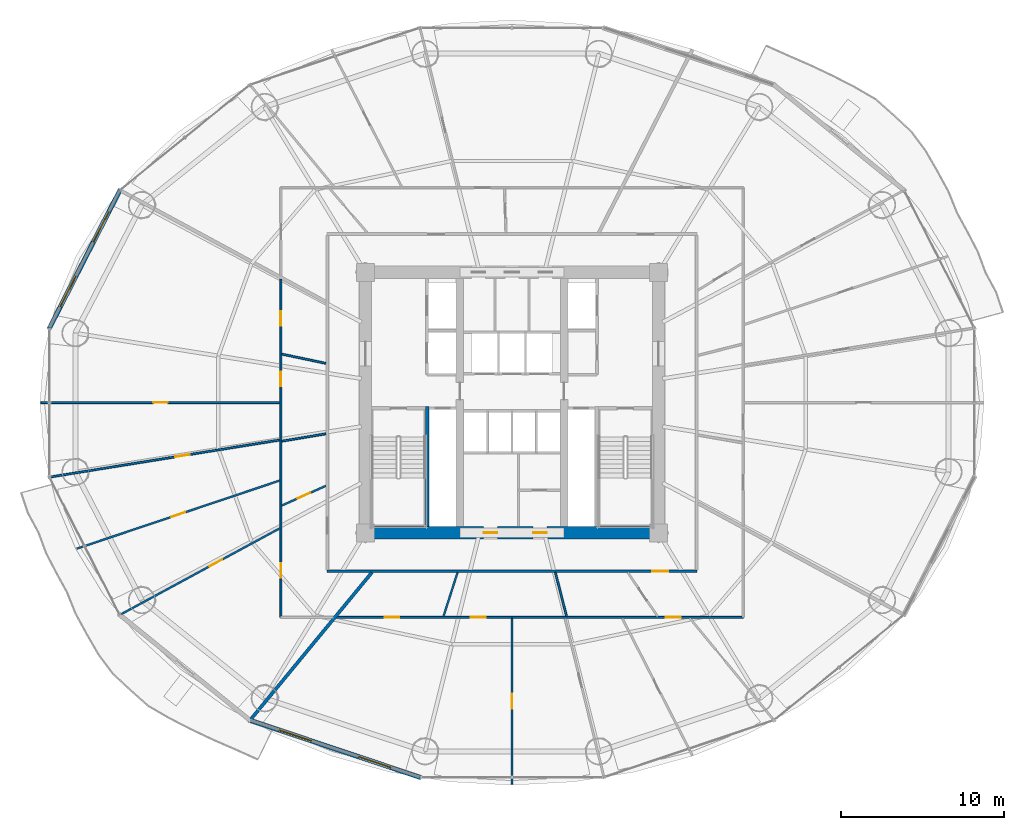
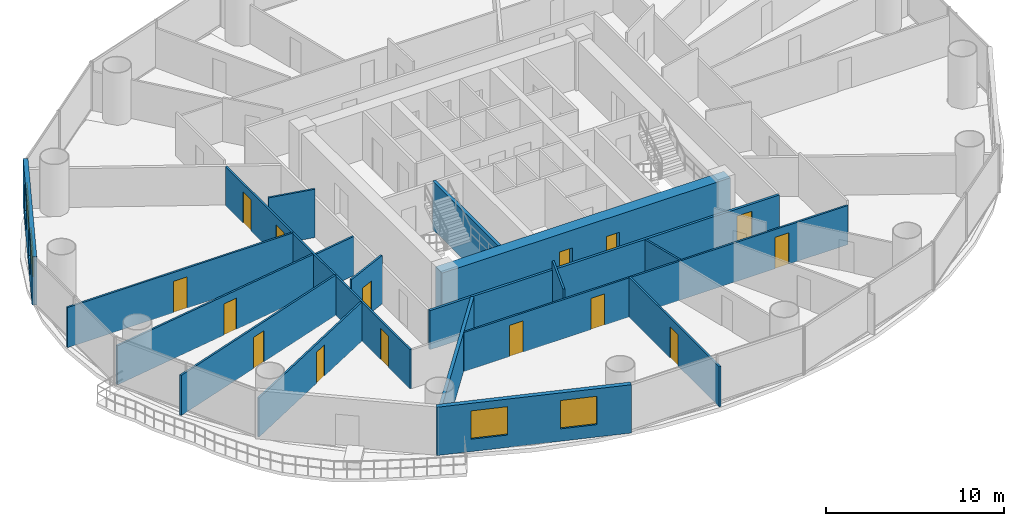
# One storey, part 22 of 29: 18 walls, 15 doors, 4 windows, 19 openings.
"""IFC4 building model written with IfcOpenShell, lengths in metres."""

from ifc_helpers import new_model, si_unit, direction, frame, frame_2d, origin, place, context, subcontext, project, spatial, rectangle, extrude, source, transform, mapped, material, layer, layer_set, type_object, element, fill, save


model = new_model("IFC4")

# Units and contexts
model_context = context("Model", 3, precision=1e-05, world=origin(), true_north=direction((-0.2419218956, 0.970295726276)))
body_context = subcontext(model_context, "Body", "Model", "MODEL_VIEW")
ifc_project = project(units=[si_unit("LENGTHUNIT", "METRE"), si_unit("AREAUNIT", "SQUARE_METRE"), si_unit("VOLUMEUNIT", "CUBIC_METRE"), si_unit("PLANEANGLEUNIT", "RADIAN"), si_unit("MASSUNIT", "GRAM", prefix="KILO")], contexts=[model_context])

# Site, building, storey
site_placement = place(None, origin())
site = spatial("IfcSite", under=ifc_project, at=site_placement, CompositionType="ELEMENT")
building_placement = place(site_placement, origin())
building = spatial("IfcBuilding", under=site, at=building_placement, Name="Cobrevalo Terracotta Tower", CompositionType="ELEMENT")
storey_placement = place(building_placement, frame((0.0, 0.0, 52.800048828125)))
storey = spatial("IfcBuildingStorey", under=building, at=storey_placement, Name="L13", CompositionType="ELEMENT", Elevation=52.800048828125)

# Wall, openings, doors
ifc_material_1 = material(Name="Concrete C60", Category="concrete")
ifc_layer_1 = layer(ifc_material_1, 0.75)
ifc_layer_set_1 = layer_set([ifc_layer_1], Name="Concrete C60")
wall_type_1 = type_object("IfcWallType", Name="Core shear wall 750 mm Concrete C60", PredefinedType="SHEAR", material=ifc_layer_set_1)
wall_1_placement = place(storey_placement, frame((28.625, 18.800048828125, 0.0), z_axis=(0.0, 0.0, 1.0), x_axis=(1.0, 0.0, 0.0)))
wall_1 = element("IfcWall", 1, at=wall_1_placement, inside=storey, type_object=wall_type_1, Name="L13 south core shear wall", PredefinedType="SHEAR", context=body_context, shape_type="SweptSolid", body=[
    extrude(rectangle(XDim=18.75, YDim=0.75, at=frame_2d((9.375, 0.0))), origin(), (0.0, 0.0, 1.0), 3.320068359375),
])
opening_1_placement = place(wall_1_placement, frame((7.62744140625, 0.0, 0.0)))
opening_1 = element("IfcOpeningElement", 2, at=opening_1_placement, cuts=wall_1, Name="Opening ID-22", PredefinedType="OPENING", context=body_context, shape_type="SweptSolid", body=[
    extrude(rectangle(XDim=0.85009765625, YDim=2.10009765625, at=frame_2d((0.425048828125, 1.050048828125))), frame((0.0, 0.385009765625, 0.0), z_axis=(0.0, -1.0, 0.0), x_axis=(1.0, 0.0, 0.0)), (0.0, 0.0, 1.0), 0.77001953125),
])
opening_2_placement = place(wall_1_placement, frame((10.672607421875, 0.0, 0.0)))
opening_2 = element("IfcOpeningElement", 3, at=opening_2_placement, cuts=wall_1, Name="Opening ID-22", PredefinedType="OPENING", context=body_context, shape_type="SweptSolid", body=[
    extrude(rectangle(XDim=0.85009765625, YDim=2.10009765625, at=frame_2d((0.425048828125, 1.050048828125))), frame((0.0, 0.385009765625, 0.0), z_axis=(0.0, -1.0, 0.0), x_axis=(1.0, 0.0, 0.0)), (0.0, 0.0, 1.0), 0.77001953125),
])
ifc_material_2 = material(Name="Powder-coated steel", Category="steel")
door_type_1 = type_object("IfcDoorType", Name="Riser shaft & meter closet fire access door 850x2100 EI 60", OperationType="NOTDEFINED", PredefinedType="DOOR", material=ifc_material_2)
shared_shape_1 = source(origin(), body_context, "Body", "SweptSolid", [
    extrude(rectangle(XDim=0.85009765625, YDim=2.10009765625, at=frame_2d((0.425048828125, 1.050048828125))), frame((0.0, 0.02490234375, 0.0), z_axis=(0.0, -1.0, 0.0), x_axis=(1.0, 0.0, 0.0)), (0.0, 0.0, 1.0), 0.050048828125),
])
door_1_placement = place(opening_1_placement, origin())
door_1 = element("IfcDoor", 4, at=door_1_placement, inside=storey, type_object=door_type_1, Name="L13 core south plant door Floor AHU Mechanical Plant", OperationType="SINGLE_SWING_RIGHT", OverallHeight=2.10009765625, OverallWidth=0.85009765625, PredefinedType="DOOR", context=body_context, shape_type="MappedRepresentation", body=[
    mapped(shared_shape_1, transform((0.0, 0.0, 0.0), scale=1.0)),
])
fill(opening_1, door_1)
door_2_placement = place(opening_2_placement, origin())
door_2 = element("IfcDoor", 5, at=door_2_placement, inside=storey, type_object=door_type_1, Name="L13 core south plant door Sprinkler Valve Plant", OperationType="SINGLE_SWING_RIGHT", OverallHeight=2.10009765625, OverallWidth=0.85009765625, PredefinedType="DOOR", context=body_context, shape_type="MappedRepresentation", body=[
    mapped(shared_shape_1, transform((0.0, 0.0, 0.0), scale=1.0)),
])
fill(opening_2, door_2)

# Wall, opening, door
ifc_material_3 = material(Name="Gypsum board on steel stud", Category="steel")
ifc_layer_2 = layer(ifc_material_3, 0.159912109375)
ifc_layer_set_2 = layer_set([ifc_layer_2], Name="Gypsum board on steel stud")
wall_type_2 = type_object("IfcWallType", Name="Fire-rated corridor acoustic partition wall 160 mm", PredefinedType="PARTITIONING", material=ifc_layer_set_2)
wall_2_placement = place(storey_placement, frame((26.64501953125, 16.445068359375, 0.0), z_axis=(0.0, 0.0, 1.0), x_axis=(1.0, 0.0, 0.0)))
wall_2 = element("IfcWall", 6, at=wall_2_placement, inside=storey, type_object=wall_type_2, Name="L13 interior partition IW-L13-COR-S", PredefinedType="PARTITIONING", context=body_context, shape_type="SweptSolid", body=[
    extrude(rectangle(XDim=22.7099609375, YDim=0.159912109375, at=frame_2d((11.35498046875, 0.0))), origin(), (0.0, 0.0, 1.0), 2.68798828125),
])
opening_3_placement = place(wall_2_placement, frame((19.962158203125, 0.0, 0.0)))
opening_3 = element("IfcOpeningElement", 7, at=opening_3_placement, cuts=wall_2, Name="Opening ID-05", PredefinedType="OPENING", context=body_context, shape_type="SweptSolid", body=[
    extrude(rectangle(XDim=0.97998046875, YDim=2.199951171875, at=frame_2d((0.489990234375, 1.10009765625))), frame((0.0, 0.08984375, 0.0), z_axis=(0.0, -1.0, 0.0), x_axis=(1.0, 0.0, 0.0)), (0.0, 0.0, 1.0), 0.179931640625),
])
ifc_material_4 = material(Name="Solid hardwood timber", Category="wood")
door_type_2 = type_object("IfcDoorType", Name="Residence entrance fire-rated acoustic timber door 980x2200 EI 60", OperationType="NOTDEFINED", PredefinedType="DOOR", material=ifc_material_4)
shared_shape_2 = source(origin(), body_context, "Body", "SweptSolid", [
    extrude(rectangle(XDim=0.97998046875, YDim=2.199951171875, at=frame_2d((0.489990234375, 1.10009765625))), frame((0.0, 0.02490234375, 0.0), z_axis=(0.0, -1.0, 0.0), x_axis=(1.0, 0.0, 0.0)), (0.0, 0.0, 1.0), 0.050048828125),
])
door_3_placement = place(opening_3_placement, origin())
door_3 = element("IfcDoor", 8, at=door_3_placement, inside=storey, type_object=door_type_2, Name="Flat L13D fire-rated apartment entrance door", OperationType="SINGLE_SWING_RIGHT", OverallHeight=2.199951171875, OverallWidth=0.97998046875, PredefinedType="DOOR", context=body_context, shape_type="MappedRepresentation", body=[
    mapped(shared_shape_2, transform((0.0, 0.0, 0.0), scale=1.0)),
])
fill(opening_3, door_3)

# Wall
ifc_material_5 = material(Name="Autoclaved aerated concrete block", Category="concrete")
ifc_layer_3 = layer(ifc_material_5, 0.199951171875)
ifc_layer_set_3 = layer_set([ifc_layer_3], Name="Autoclaved aerated concrete block")
wall_type_3 = type_object("IfcWallType", Name="Fire-rated stair, shaft & demising masonry wall 200 mm", PredefinedType="PARTITIONING", material=ifc_layer_set_3)
wall_3_placement = place(storey_placement, frame((29.395751953125, 16.364990234375, 0.0), z_axis=(0.0, 0.0, 1.0), x_axis=(-0.636186165667, -0.771535587393, 0.0)))
element("IfcWall", 9, at=wall_3_placement, inside=storey, type_object=wall_type_3, Name="L13 interior partition IW-L13-DEM-4", PredefinedType="PARTITIONING", context=body_context, shape_type="SweptSolid", body=[
    extrude(rectangle(XDim=11.68310546875, YDim=0.199951171875, at=frame_2d((5.841552734375, 0.0))), origin(), (0.0, 0.0, 1.0), 2.68798828125),
])

# Wall, openings, windows
ifc_layer_4 = layer(ifc_material_5, 0.280029296875)
ifc_layer_set_4 = layer_set([ifc_layer_4], Name="Autoclaved aerated concrete block")
wall_type_4 = type_object("IfcWallType", Name="Insulated tower spandrel & pier wall 280 mm with terracotta rainscreen", PredefinedType="SOLIDWALL", material=ifc_layer_set_4)
wall_4_placement = place(storey_placement, frame((13.94873046875, 39.910400390625, 0.0), z_axis=(0.0, 0.0, 1.0), x_axis=(-0.45523081716, -0.890373462715, 0.0)))
wall_4 = element("IfcWall", 10, at=wall_4_placement, inside=storey, type_object=wall_type_4, Name="L13 terracotta rainscreen pier wall S07", PredefinedType="SOLIDWALL", context=body_context, shape_type="SweptSolid", body=[
    extrude(rectangle(XDim=9.662109375, YDim=0.280029296875, at=frame_2d((4.8310546875, 0.0))), origin(), (0.0, 0.0, 1.0), 3.320068359375),
])
opening_4_placement = place(wall_4_placement, frame((1.558837890625, 0.0, 0.85009765625)))
opening_4 = element("IfcOpeningElement", 11, at=opening_4_placement, cuts=wall_4, Name="Opening WN-10", PredefinedType="OPENING", context=body_context, shape_type="SweptSolid", body=[
    extrude(rectangle(XDim=2.10009765625, YDim=1.949951171875, at=frame_2d((1.050048828125, 0.97509765625))), frame((0.0, 0.14990234375, 0.0), z_axis=(0.0, -1.0, 0.0), x_axis=(1.0, 0.0, 0.0)), (0.0, 0.0, 1.0), 0.300048828125),
])
opening_5_placement = place(wall_4_placement, frame((6.00341796875, 0.0, 0.85009765625)))
opening_5 = element("IfcOpeningElement", 12, at=opening_5_placement, cuts=wall_4, Name="Opening WN-10", PredefinedType="OPENING", context=body_context, shape_type="SweptSolid", body=[
    extrude(rectangle(XDim=2.10009765625, YDim=1.949951171875, at=frame_2d((1.050048828125, 0.97509765625))), frame((0.0, 0.14990234375, 0.0), z_axis=(0.0, -1.0, 0.0), x_axis=(1.0, 0.0, 0.0)), (0.0, 0.0, 1.0), 0.300048828125),
])
ifc_material_6 = material(Name="Solar-control low-E double glazing", Category="glass")
window_type = type_object("IfcWindowType", Name="Wide panoramic low-E aluminium window 2100x1950", PartitioningType="SINGLE_PANEL", PredefinedType="WINDOW", material=ifc_material_6)
shared_shape_3 = source(origin(), body_context, "Body", "SweptSolid", [
    extrude(rectangle(XDim=2.10009765625, YDim=1.949951171875, at=frame_2d((1.050048828125, 0.97509765625))), frame((0.0, 0.030029296875, 0.0), z_axis=(0.0, -1.0, 0.0), x_axis=(1.0, 0.0, 0.0)), (0.0, 0.0, 1.0), 0.06005859375),
])
window_1_placement = place(opening_4_placement, origin())
window_1 = element("IfcWindow", 13, at=window_1_placement, inside=storey, type_object=window_type, Name="L13 suite window S07A", OverallHeight=1.949951171875, OverallWidth=2.10009765625, PartitioningType="SINGLE_PANEL", PredefinedType="WINDOW", context=body_context, shape_type="MappedRepresentation", body=[
    mapped(shared_shape_3, transform((0.0, 0.0, 0.0), scale=1.0)),
])
fill(opening_4, window_1)
window_2_placement = place(opening_5_placement, origin())
window_2 = element("IfcWindow", 14, at=window_2_placement, inside=storey, type_object=window_type, Name="L13 suite window S07B", OverallHeight=1.949951171875, OverallWidth=2.10009765625, PartitioningType="SINGLE_PANEL", PredefinedType="WINDOW", context=body_context, shape_type="MappedRepresentation", body=[
    mapped(shared_shape_3, transform((0.0, 0.0, 0.0), scale=1.0)),
])
fill(opening_5, window_2)

wall_5_placement = place(storey_placement, frame((21.829345703125, 7.310791015625, 0.0), z_axis=(0.0, 0.0, 1.0), x_axis=(0.948047847546, -0.31812777113, 0.0)))
wall_5 = element("IfcWall", 15, at=wall_5_placement, inside=storey, type_object=wall_type_4, Name="L13 terracotta rainscreen pier wall S11", PredefinedType="SOLIDWALL", context=body_context, shape_type="SweptSolid", body=[
    extrude(rectangle(XDim=11.17529296875, YDim=0.280029296875, at=frame_2d((5.587646484375, 0.0))), origin(), (0.0, 0.0, 1.0), 3.320068359375),
])
opening_6_placement = place(wall_5_placement, frame((1.96728515625, 0.0, 0.85009765625)))
opening_6 = element("IfcOpeningElement", 16, at=opening_6_placement, cuts=wall_5, Name="Opening WN-10", PredefinedType="OPENING", context=body_context, shape_type="SweptSolid", body=[
    extrude(rectangle(XDim=2.10009765625, YDim=1.949951171875, at=frame_2d((1.050048828125, 0.97509765625))), frame((0.0, 0.14990234375, 0.0), z_axis=(0.0, -1.0, 0.0), x_axis=(1.0, 0.0, 0.0)), (0.0, 0.0, 1.0), 0.300048828125),
])
opening_7_placement = place(wall_5_placement, frame((7.108154296875, 0.0, 0.85009765625)))
opening_7 = element("IfcOpeningElement", 17, at=opening_7_placement, cuts=wall_5, Name="Opening WN-10", PredefinedType="OPENING", context=body_context, shape_type="SweptSolid", body=[
    extrude(rectangle(XDim=2.10009765625, YDim=1.949951171875, at=frame_2d((1.050048828125, 0.97509765625))), frame((0.0, 0.14990234375, 0.0), z_axis=(0.0, -1.0, 0.0), x_axis=(1.0, 0.0, 0.0)), (0.0, 0.0, 1.0), 0.300048828125),
])
window_3_placement = place(opening_6_placement, origin())
window_3 = element("IfcWindow", 18, at=window_3_placement, inside=storey, type_object=window_type, Name="L13 suite window S11A", OverallHeight=1.949951171875, OverallWidth=2.10009765625, PartitioningType="SINGLE_PANEL", PredefinedType="WINDOW", context=body_context, shape_type="MappedRepresentation", body=[
    mapped(shared_shape_3, transform((0.0, 0.0, 0.0), scale=1.0)),
])
fill(opening_6, window_3)
window_4_placement = place(opening_7_placement, origin())
window_4 = element("IfcWindow", 19, at=window_4_placement, inside=storey, type_object=window_type, Name="L13 suite window S11B", OverallHeight=1.949951171875, OverallWidth=2.10009765625, PartitioningType="SINGLE_PANEL", PredefinedType="WINDOW", context=body_context, shape_type="MappedRepresentation", body=[
    mapped(shared_shape_3, transform((0.0, 0.0, 0.0), scale=1.0)),
])
fill(opening_7, window_4)

# Wall, openings, doors
ifc_layer_5 = layer(ifc_material_3, 0.1201171875)
ifc_layer_set_5 = layer_set([ifc_layer_5], Name="Gypsum board on steel stud")
wall_type_5 = type_object("IfcWallType", Name="Residential internal acoustic stud partition 120 mm", PredefinedType="PARTITIONING", material=ifc_layer_set_5)
wall_6_placement = place(storey_placement, frame((23.804931640625, 13.60498046875, 0.0), z_axis=(0.0, 0.0, 1.0), x_axis=(0.0, 1.0, 0.0)))
wall_6 = element("IfcWall", 20, at=wall_6_placement, inside=storey, type_object=wall_type_5, Name="L13 interior partition IW-L13-U3-RING1_0", PredefinedType="PARTITIONING", context=body_context, shape_type="SweptSolid", body=[
    extrude(rectangle(XDim=20.779052734375, YDim=0.1201171875, at=frame_2d((10.3896484375, 0.0))), origin(), (0.0, 0.0, 1.0), 2.68798828125),
])
opening_8_placement = place(wall_6_placement, frame((2.424560546875, 0.0, 0.0)))
opening_8 = element("IfcOpeningElement", 21, at=opening_8_placement, cuts=wall_6, Name="Opening ID-12", PredefinedType="OPENING", context=body_context, shape_type="SweptSolid", body=[
    extrude(rectangle(XDim=0.89990234375, YDim=2.14990234375, at=frame_2d((0.449951171875, 1.074951171875))), frame((0.0, 0.070068359375, 0.0), z_axis=(0.0, -1.0, 0.0), x_axis=(1.0, 0.0, 0.0)), (0.0, 0.0, 1.0), 0.14013671875),
])
opening_9_placement = place(wall_6_placement, frame((14.19873046875, 0.0, 0.0)))
opening_9 = element("IfcOpeningElement", 22, at=opening_9_placement, cuts=wall_6, Name="Opening ID-12", PredefinedType="OPENING", context=body_context, shape_type="SweptSolid", body=[
    extrude(rectangle(XDim=0.89990234375, YDim=2.14990234375, at=frame_2d((0.449951171875, 1.074951171875))), frame((0.0, 0.070068359375, 0.0), z_axis=(0.0, -1.0, 0.0), x_axis=(1.0, 0.0, 0.0)), (0.0, 0.0, 1.0), 0.14013671875),
])
opening_10_placement = place(wall_6_placement, frame((17.908203125, 0.0, 0.0)))
opening_10 = element("IfcOpeningElement", 23, at=opening_10_placement, cuts=wall_6, Name="Opening ID-12", PredefinedType="OPENING", context=body_context, shape_type="SweptSolid", body=[
    extrude(rectangle(XDim=0.89990234375, YDim=2.14990234375, at=frame_2d((0.449951171875, 1.074951171875))), frame((0.0, 0.070068359375, 0.0), z_axis=(0.0, -1.0, 0.0), x_axis=(1.0, 0.0, 0.0)), (0.0, 0.0, 1.0), 0.14013671875),
])
ifc_material_7 = material(Name="Engineered timber", Category="wood")
door_type_3 = type_object("IfcDoorType", Name="Internal residence & suite timber door 900x2150", OperationType="NOTDEFINED", PredefinedType="DOOR", material=ifc_material_7)
shared_shape_4 = source(origin(), body_context, "Body", "SweptSolid", [
    extrude(rectangle(XDim=0.89990234375, YDim=2.14990234375, at=frame_2d((0.449951171875, 1.074951171875))), frame((0.0, 0.02490234375, 0.0), z_axis=(0.0, -1.0, 0.0), x_axis=(1.0, 0.0, 0.0)), (0.0, 0.0, 1.0), 0.050048828125),
])
door_4_placement = place(opening_8_placement, origin())
door_4 = element("IfcDoor", 24, at=door_4_placement, inside=storey, type_object=door_type_3, Name="Flat L13C Penthouse Family Lounge internal door", OperationType="SINGLE_SWING_LEFT", OverallHeight=2.14990234375, OverallWidth=0.89990234375, PredefinedType="DOOR", context=body_context, shape_type="MappedRepresentation", body=[
    mapped(shared_shape_4, transform((0.0, 0.0, 0.0), scale=1.0)),
])
fill(opening_8, door_4)
door_5_placement = place(opening_9_placement, frame((0.89990234375, 0.0, 0.0), z_axis=(0.0, 0.0, 1.0), x_axis=(-1.0, 0.0, 0.0)))
door_5 = element("IfcDoor", 25, at=door_5_placement, inside=storey, type_object=door_type_3, Name="Flat L13C Kitchen internal door", OperationType="SINGLE_SWING_RIGHT", OverallHeight=2.14990234375, OverallWidth=0.89990234375, PredefinedType="DOOR", context=body_context, shape_type="MappedRepresentation", body=[
    mapped(shared_shape_4, transform((0.0, 0.0, 0.0), scale=1.0)),
])
fill(opening_9, door_5)
door_6_placement = place(opening_10_placement, frame((0.89990234375, 0.0, 0.0), z_axis=(0.0, 0.0, 1.0), x_axis=(-1.0, 0.0, 0.0)))
door_6 = element("IfcDoor", 26, at=door_6_placement, inside=storey, type_object=door_type_3, Name="Flat L13C Home Office Study internal door", OperationType="SINGLE_SWING_LEFT", OverallHeight=2.14990234375, OverallWidth=0.89990234375, PredefinedType="DOOR", context=body_context, shape_type="MappedRepresentation", body=[
    mapped(shared_shape_4, transform((0.0, 0.0, 0.0), scale=1.0)),
])
fill(opening_10, door_6)

# Wall, opening, door
wall_7_placement = place(storey_placement, frame((23.742919921875, 26.800048828125, 0.0), z_axis=(0.0, 0.0, 1.0), x_axis=(-1.0, 0.0, 0.0)))
wall_7 = element("IfcWall", 27, at=wall_7_placement, inside=storey, type_object=wall_type_5, Name="L13 interior partition IW-L13-U3-ORAD1", PredefinedType="PARTITIONING", context=body_context, shape_type="SweptSolid", body=[
    extrude(rectangle(XDim=14.682861328125, YDim=0.1201171875, at=frame_2d((7.34130859375, 0.0))), origin(), (0.0, 0.0, 1.0), 2.761962890625),
])
opening_11_placement = place(wall_7_placement, frame((6.8916015625, 0.0, 0.0)))
opening_11 = element("IfcOpeningElement", 28, at=opening_11_placement, cuts=wall_7, Name="Opening ID-12", PredefinedType="OPENING", context=body_context, shape_type="SweptSolid", body=[
    extrude(rectangle(XDim=0.89990234375, YDim=2.14990234375, at=frame_2d((0.449951171875, 1.074951171875))), frame((0.0, 0.070068359375, 0.0), z_axis=(0.0, -1.0, 0.0), x_axis=(1.0, 0.0, 0.0)), (0.0, 0.0, 1.0), 0.14013671875),
])
door_7_placement = place(opening_11_placement, frame((0.89990234375, 0.0, 0.0), z_axis=(0.0, 0.0, 1.0), x_axis=(-1.0, 0.0, 0.0)))
door_7 = element("IfcDoor", 29, at=door_7_placement, inside=storey, type_object=door_type_3, Name="Flat L13C Penthouse Living and Dining Room internal door", OperationType="SINGLE_SWING_LEFT", OverallHeight=2.14990234375, OverallWidth=0.89990234375, PredefinedType="DOOR", context=body_context, shape_type="MappedRepresentation", body=[
    mapped(shared_shape_4, transform((0.0, 0.0, 0.0), scale=1.0)),
])
fill(opening_11, door_7)

wall_8_placement = place(storey_placement, frame((23.743896484375, 24.501953125, 0.0), z_axis=(0.0, 0.0, 1.0), x_axis=(-0.987259708938, -0.159117149007, 0.0)))
wall_8 = element("IfcWall", 30, at=wall_8_placement, inside=storey, type_object=wall_type_5, Name="L13 interior partition IW-L13-U3-ORAD2", PredefinedType="PARTITIONING", context=body_context, shape_type="SweptSolid", body=[
    extrude(rectangle(XDim=14.248046875, YDim=0.1201171875, at=frame_2d((7.1240234375, 0.0))), origin(), (0.0, 0.0, 1.0), 2.68798828125),
])
opening_12_placement = place(wall_8_placement, frame((5.603271484375, 0.0, 0.0)))
opening_12 = element("IfcOpeningElement", 31, at=opening_12_placement, cuts=wall_8, Name="Opening ID-12", PredefinedType="OPENING", context=body_context, shape_type="SweptSolid", body=[
    extrude(rectangle(XDim=0.89990234375, YDim=2.14990234375, at=frame_2d((0.449951171875, 1.074951171875))), frame((0.0, 0.070068359375, 0.0), z_axis=(0.0, -1.0, 0.0), x_axis=(1.0, 0.0, 0.0)), (0.0, 0.0, 1.0), 0.14013671875),
])
door_8_placement = place(opening_12_placement, frame((0.89990234375, 0.0, 0.0), z_axis=(0.0, 0.0, 1.0), x_axis=(-1.0, 0.0, 0.0)))
door_8 = element("IfcDoor", 32, at=door_8_placement, inside=storey, type_object=door_type_3, Name="Flat L13C Master Bedroom internal door", OperationType="SINGLE_SWING_RIGHT", OverallHeight=2.14990234375, OverallWidth=0.89990234375, PredefinedType="DOOR", context=body_context, shape_type="MappedRepresentation", body=[
    mapped(shared_shape_4, transform((0.0, 0.0, 0.0), scale=1.0)),
])
fill(opening_12, door_8)

wall_9_placement = place(storey_placement, frame((23.746337890625, 22.015625, 0.0), z_axis=(0.0, 0.0, 1.0), x_axis=(-0.948022802246, -0.318202398516, 0.0)))
wall_9 = element("IfcWall", 33, at=wall_9_placement, inside=storey, type_object=wall_type_5, Name="L13 interior partition IW-L13-U3-ORAD3M1", PredefinedType="PARTITIONING", context=body_context, shape_type="SweptSolid", body=[
    extrude(rectangle(XDim=13.162841796875, YDim=0.1201171875, at=frame_2d((6.58154296875, 0.0))), origin(), (0.0, 0.0, 1.0), 2.761962890625),
])
opening_13_placement = place(wall_9_placement, frame((6.13134765625, 0.0, 0.0)))
opening_13 = element("IfcOpeningElement", 34, at=opening_13_placement, cuts=wall_9, Name="Opening ID-12", PredefinedType="OPENING", context=body_context, shape_type="SweptSolid", body=[
    extrude(rectangle(XDim=0.89990234375, YDim=2.14990234375, at=frame_2d((0.449951171875, 1.074951171875))), frame((0.0, 0.070068359375, 0.0), z_axis=(0.0, -1.0, 0.0), x_axis=(1.0, 0.0, 0.0)), (0.0, 0.0, 1.0), 0.14013671875),
])
door_9_placement = place(opening_13_placement, frame((0.89990234375, 0.0, 0.0), z_axis=(0.0, 0.0, 1.0), x_axis=(-1.0, 0.0, 0.0)))
door_9 = element("IfcDoor", 35, at=door_9_placement, inside=storey, type_object=door_type_3, Name="Flat L13C Principal Guest Bedroom internal door", OperationType="SINGLE_SWING_LEFT", OverallHeight=2.14990234375, OverallWidth=0.89990234375, PredefinedType="DOOR", context=body_context, shape_type="MappedRepresentation", body=[
    mapped(shared_shape_4, transform((0.0, 0.0, 0.0), scale=1.0)),
])
fill(opening_13, door_9)

wall_10_placement = place(storey_placement, frame((23.75048828125, 19.08447265625, 0.0), z_axis=(0.0, 0.0, 1.0), x_axis=(-0.879370672984, -0.476137815654, 0.0)))
wall_10 = element("IfcWall", 36, at=wall_10_placement, inside=storey, type_object=wall_type_5, Name="L13 interior partition IW-L13-U3-ORAD3", PredefinedType="PARTITIONING", context=body_context, shape_type="SweptSolid", body=[
    extrude(rectangle(XDim=11.094482421875, YDim=0.1201171875, at=frame_2d((5.54736328125, 0.0))), origin(), (0.0, 0.0, 1.0), 2.68798828125),
])
opening_14_placement = place(wall_10_placement, frame((4.0341796875, 0.0, 0.0)))
opening_14 = element("IfcOpeningElement", 37, at=opening_14_placement, cuts=wall_10, Name="Opening ID-12", PredefinedType="OPENING", context=body_context, shape_type="SweptSolid", body=[
    extrude(rectangle(XDim=0.89990234375, YDim=2.14990234375, at=frame_2d((0.449951171875, 1.074951171875))), frame((0.0, 0.070068359375, 0.0), z_axis=(0.0, -1.0, 0.0), x_axis=(1.0, 0.0, 0.0)), (0.0, 0.0, 1.0), 0.14013671875),
])
door_10_placement = place(opening_14_placement, frame((0.89990234375, 0.0, 0.0), z_axis=(0.0, 0.0, 1.0), x_axis=(-1.0, 0.0, 0.0)))
door_10 = element("IfcDoor", 38, at=door_10_placement, inside=storey, type_object=door_type_3, Name="Flat L13C Principal Guest Bedroom internal door", OperationType="SINGLE_SWING_RIGHT", OverallHeight=2.14990234375, OverallWidth=0.89990234375, PredefinedType="DOOR", context=body_context, shape_type="MappedRepresentation", body=[
    mapped(shared_shape_4, transform((0.0, 0.0, 0.0), scale=1.0)),
])
fill(opening_14, door_10)

# Walls
wall_11_placement = place(storey_placement, frame((26.56494140625, 29.20654296875, 0.0), z_axis=(0.0, 0.0, 1.0), x_axis=(-0.978560113768, 0.205961413236, 0.0)))
element("IfcWall", 39, at=wall_11_placement, inside=storey, type_object=wall_type_5, Name="L13 interior partition IW-L13-U3-IRAD1", PredefinedType="PARTITIONING", context=body_context, shape_type="SweptSolid", body=[
    extrude(rectangle(XDim=2.75830078125, YDim=0.1201171875, at=frame_2d((1.379150390625, 0.0))), origin(), (0.0, 0.0, 1.0), 3.320068359375),
])
wall_12_placement = place(storey_placement, frame((26.56494140625, 24.882568359375, 0.0), z_axis=(0.0, 0.0, 1.0), x_axis=(-0.986224611599, -0.165411654596, 0.0)))
element("IfcWall", 40, at=wall_12_placement, inside=storey, type_object=wall_type_5, Name="L13 interior partition IW-L13-U3-IRAD2", PredefinedType="PARTITIONING", context=body_context, shape_type="SweptSolid", body=[
    extrude(rectangle(XDim=2.736328125, YDim=0.1201171875, at=frame_2d((1.3681640625, 0.0))), origin(), (0.0, 0.0, 1.0), 2.68798828125),
])

# Wall, opening, door
wall_13_placement = place(storey_placement, frame((26.56494140625, 21.685302734375, 0.0), z_axis=(0.0, 0.0, 1.0), x_axis=(-0.912840085104, -0.408317252914, 0.0)))
wall_13 = element("IfcWall", 41, at=wall_13_placement, inside=storey, type_object=wall_type_5, Name="L13 interior partition IW-L13-U3-IRAD3", PredefinedType="PARTITIONING", context=body_context, shape_type="SweptSolid", body=[
    extrude(rectangle(XDim=2.96142578125, YDim=0.1201171875, at=frame_2d((1.480712890625, 0.0))), origin(), (0.0, 0.0, 1.0), 3.320068359375),
])
opening_15_placement = place(wall_13_placement, frame((1.05078125, 0.0, 0.0)))
opening_15 = element("IfcOpeningElement", 42, at=opening_15_placement, cuts=wall_13, Name="Opening ID-19", PredefinedType="OPENING", context=body_context, shape_type="SweptSolid", body=[
    extrude(rectangle(XDim=0.860107421875, YDim=2.14990234375, at=frame_2d((0.43017578125, 1.074951171875))), frame((0.0, 0.070068359375, 0.0), z_axis=(0.0, -1.0, 0.0), x_axis=(1.0, 0.0, 0.0)), (0.0, 0.0, 1.0), 0.14013671875),
])
ifc_material_8 = material(Name="Moisture-sealed timber", Category="wood")
door_type_4 = type_object("IfcDoorType", Name="Suite bathroom internal timber door 860x2150", OperationType="NOTDEFINED", PredefinedType="DOOR", material=ifc_material_8)
shared_shape_5 = source(origin(), body_context, "Body", "SweptSolid", [
    extrude(rectangle(XDim=0.860107421875, YDim=2.14990234375, at=frame_2d((0.43017578125, 1.074951171875))), frame((0.0, 0.02490234375, 0.0), z_axis=(0.0, -1.0, 0.0), x_axis=(1.0, 0.0, 0.0)), (0.0, 0.0, 1.0), 0.050048828125),
])
door_11_placement = place(opening_15_placement, frame((0.860107421875, 0.0, 0.0), z_axis=(0.0, 0.0, 1.0), x_axis=(-1.0, 0.0, 0.0)))
door_11 = element("IfcDoor", 43, at=door_11_placement, inside=storey, type_object=door_type_4, Name="Flat L13C Primary Bathroom internal door", OperationType="SINGLE_SWING_RIGHT", OverallHeight=2.14990234375, OverallWidth=0.860107421875, PredefinedType="DOOR", context=body_context, shape_type="MappedRepresentation", body=[
    mapped(shared_shape_5, transform((0.0, 0.0, 0.0), scale=1.0)),
])
fill(opening_15, door_11)

# Wall, openings, doors
wall_14_placement = place(storey_placement, frame((52.195068359375, 13.60498046875, 0.0), z_axis=(0.0, 0.0, 1.0), x_axis=(-1.0, 0.0, 0.0)))
wall_14 = element("IfcWall", 44, at=wall_14_placement, inside=storey, type_object=wall_type_5, Name="L13 interior partition IW-L13-U4-RING1_0", PredefinedType="PARTITIONING", context=body_context, shape_type="SweptSolid", body=[
    extrude(rectangle(XDim=24.97314453125, YDim=0.1201171875, at=frame_2d((12.486572265625, 0.0))), origin(), (0.0, 0.0, 1.0), 2.68798828125),
])
opening_16_placement = place(wall_14_placement, frame((3.8408203125, 0.0, 0.0)))
opening_16 = element("IfcOpeningElement", 45, at=opening_16_placement, cuts=wall_14, Name="Opening ID-12", PredefinedType="OPENING", context=body_context, shape_type="SweptSolid", body=[
    extrude(rectangle(XDim=0.89990234375, YDim=2.14990234375, at=frame_2d((0.449951171875, 1.074951171875))), frame((0.0, 0.070068359375, 0.0), z_axis=(0.0, -1.0, 0.0), x_axis=(1.0, 0.0, 0.0)), (0.0, 0.0, 1.0), 0.14013671875),
])
opening_17_placement = place(wall_14_placement, frame((15.8193359375, 0.0, 0.0)))
opening_17 = element("IfcOpeningElement", 46, at=opening_17_placement, cuts=wall_14, Name="Opening ID-12", PredefinedType="OPENING", context=body_context, shape_type="SweptSolid", body=[
    extrude(rectangle(XDim=0.89990234375, YDim=2.14990234375, at=frame_2d((0.449951171875, 1.074951171875))), frame((0.0, 0.070068359375, 0.0), z_axis=(0.0, -1.0, 0.0), x_axis=(1.0, 0.0, 0.0)), (0.0, 0.0, 1.0), 0.14013671875),
])
opening_18_placement = place(wall_14_placement, frame((21.12255859375, 0.0, 0.0)))
opening_18 = element("IfcOpeningElement", 47, at=opening_18_placement, cuts=wall_14, Name="Opening ID-12", PredefinedType="OPENING", context=body_context, shape_type="SweptSolid", body=[
    extrude(rectangle(XDim=0.89990234375, YDim=2.14990234375, at=frame_2d((0.449951171875, 1.074951171875))), frame((0.0, 0.070068359375, 0.0), z_axis=(0.0, -1.0, 0.0), x_axis=(1.0, 0.0, 0.0)), (0.0, 0.0, 1.0), 0.14013671875),
])
door_12_placement = place(opening_16_placement, origin())
door_12 = element("IfcDoor", 48, at=door_12_placement, inside=storey, type_object=door_type_3, Name="Flat L13D Penthouse Family Lounge internal door", OperationType="SINGLE_SWING_RIGHT", OverallHeight=2.14990234375, OverallWidth=0.89990234375, PredefinedType="DOOR", context=body_context, shape_type="MappedRepresentation", body=[
    mapped(shared_shape_4, transform((0.0, 0.0, 0.0), scale=1.0)),
])
fill(opening_16, door_12)
door_13_placement = place(opening_17_placement, frame((0.89990234375, 0.0, 0.0), z_axis=(0.0, 0.0, 1.0), x_axis=(-1.0, 0.0, 0.0)))
door_13 = element("IfcDoor", 49, at=door_13_placement, inside=storey, type_object=door_type_3, Name="Flat L13D Kitchen internal door", OperationType="SINGLE_SWING_LEFT", OverallHeight=2.14990234375, OverallWidth=0.89990234375, PredefinedType="DOOR", context=body_context, shape_type="MappedRepresentation", body=[
    mapped(shared_shape_4, transform((0.0, 0.0, 0.0), scale=1.0)),
])
fill(opening_17, door_13)
door_14_placement = place(opening_18_placement, frame((0.89990234375, 0.0, 0.0), z_axis=(0.0, 0.0, 1.0), x_axis=(-1.0, 0.0, 0.0)))
door_14 = element("IfcDoor", 50, at=door_14_placement, inside=storey, type_object=door_type_3, Name="Flat L13D Home Office Study internal door", OperationType="SINGLE_SWING_RIGHT", OverallHeight=2.14990234375, OverallWidth=0.89990234375, PredefinedType="DOOR", context=body_context, shape_type="MappedRepresentation", body=[
    mapped(shared_shape_4, transform((0.0, 0.0, 0.0), scale=1.0)),
])
fill(opening_18, door_14)

# Wall, opening, door
wall_15_placement = place(storey_placement, frame((38.0, 13.54296875, 0.0), z_axis=(0.0, 0.0, 1.0), x_axis=(0.0, -1.0, 0.0)))
wall_15 = element("IfcWall", 51, at=wall_15_placement, inside=storey, type_object=wall_type_5, Name="L13 interior partition IW-L13-U4-ORAD1", PredefinedType="PARTITIONING", context=body_context, shape_type="SweptSolid", body=[
    extrude(rectangle(XDim=10.182861328125, YDim=0.1201171875, at=frame_2d((5.09130859375, 0.0))), origin(), (0.0, 0.0, 1.0), 2.761962890625),
])
opening_19_placement = place(wall_15_placement, frame((4.6416015625, 0.0, 0.0)))
opening_19 = element("IfcOpeningElement", 52, at=opening_19_placement, cuts=wall_15, Name="Opening ID-12", PredefinedType="OPENING", context=body_context, shape_type="SweptSolid", body=[
    extrude(rectangle(XDim=0.89990234375, YDim=2.14990234375, at=frame_2d((0.449951171875, 1.074951171875))), frame((0.0, 0.070068359375, 0.0), z_axis=(0.0, -1.0, 0.0), x_axis=(1.0, 0.0, 0.0)), (0.0, 0.0, 1.0), 0.14013671875),
])
door_15_placement = place(opening_19_placement, frame((0.89990234375, 0.0, 0.0), z_axis=(0.0, 0.0, 1.0), x_axis=(-1.0, 0.0, 0.0)))
door_15 = element("IfcDoor", 53, at=door_15_placement, inside=storey, type_object=door_type_3, Name="Flat L13D Penthouse Living and Dining Room internal door", OperationType="SINGLE_SWING_RIGHT", OverallHeight=2.14990234375, OverallWidth=0.89990234375, PredefinedType="DOOR", context=body_context, shape_type="MappedRepresentation", body=[
    mapped(shared_shape_4, transform((0.0, 0.0, 0.0), scale=1.0)),
])
fill(opening_19, door_15)

# Walls
wall_16_placement = place(storey_placement, frame((34.655517578125, 16.364990234375, 0.0), z_axis=(0.0, 0.0, 1.0), x_axis=(-0.305153630579, -0.952303135427, 0.0)))
element("IfcWall", 54, at=wall_16_placement, inside=storey, type_object=wall_type_5, Name="L13 interior partition IW-L13-U4-IRAD1", PredefinedType="PARTITIONING", context=body_context, shape_type="SweptSolid", body=[
    extrude(rectangle(XDim=2.836181640625, YDim=0.1201171875, at=frame_2d((1.41796875, 0.0))), origin(), (0.0, 0.0, 1.0), 3.320068359375),
])
wall_17_placement = place(storey_placement, frame((40.664794921875, 16.364990234375, 0.0), z_axis=(0.0, 0.0, 1.0), x_axis=(0.2474182455, -0.968908773721, 0.0)))
element("IfcWall", 55, at=wall_17_placement, inside=storey, type_object=wall_type_5, Name="L13 interior partition IW-L13-U4-IRAD2", PredefinedType="PARTITIONING", context=body_context, shape_type="SweptSolid", body=[
    extrude(rectangle(XDim=2.78662109375, YDim=0.1201171875, at=frame_2d((1.393310546875, 0.0))), origin(), (0.0, 0.0, 1.0), 2.68798828125),
])
ifc_material_9 = material(Name="Concrete C50", Category="concrete")
ifc_layer_6 = layer(ifc_material_9, 0.199951171875)
ifc_layer_set_6 = layer_set([ifc_layer_6], Name="Concrete C50")
wall_type_6 = type_object("IfcWallType", Name="Structural core & podium stair-shaft RC wall 200 mm Concrete C50", PredefinedType="SOLIDWALL", material=ifc_layer_set_6)
wall_18_placement = place(storey_placement, frame((32.794921875, 19.175048828125, 0.0), z_axis=(0.0, 0.0, 1.0), x_axis=(0.0, 1.0, 0.0)))
element("IfcWall", 56, at=wall_18_placement, inside=storey, type_object=wall_type_6, Name="L13 ST-1 east structural shaft wall", PredefinedType="SOLIDWALL", context=body_context, shape_type="SweptSolid", body=[
    extrude(rectangle(XDim=7.375, YDim=0.199951171875, at=frame_2d((3.6875, 0.0))), origin(), (0.0, 0.0, 1.0), 3.320068359375),
])

save(model, "model.ifc")
